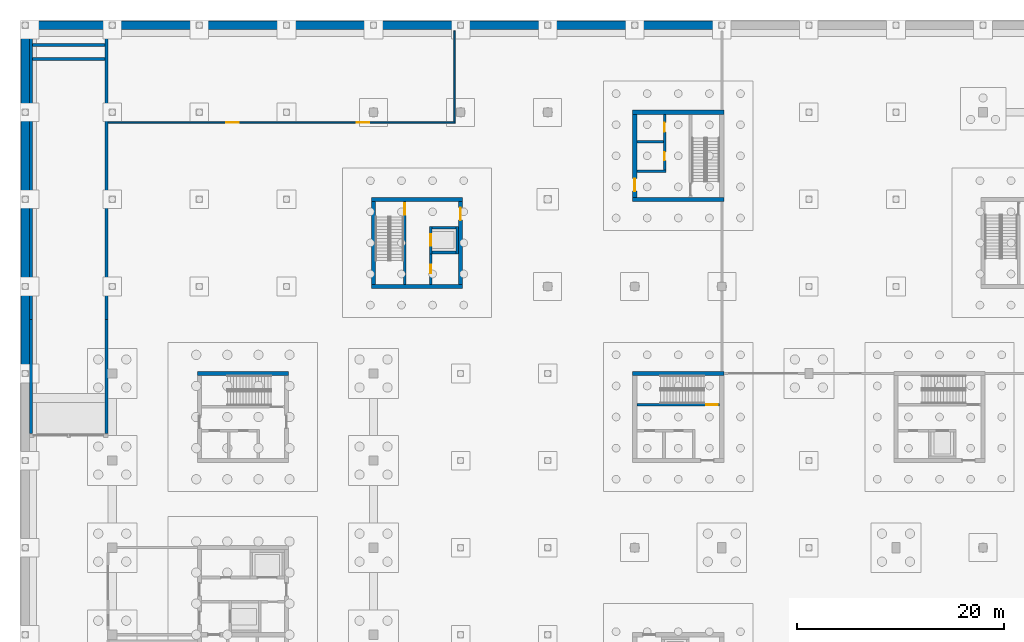
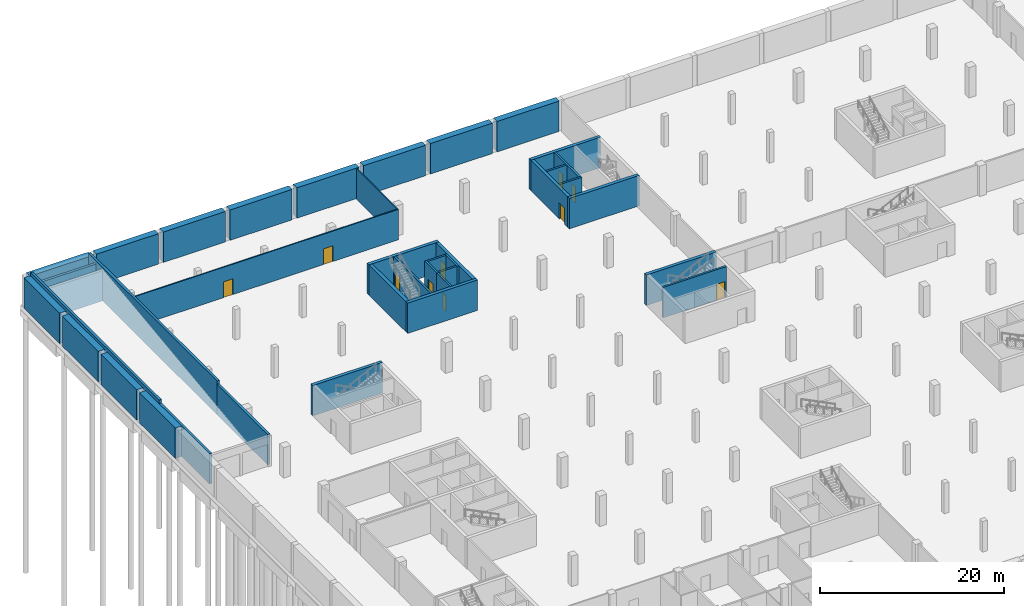
# One storey, part 15 of 23: 39 walls, 10 doors, 10 openings.
"""IFC4 building model written with IfcOpenShell, lengths in metres."""

import ifcopenshell
import ifcopenshell.guid

model = None  # the IFC model being written
_history = None  # IfcOwnerHistory: only IFC2X3 demands one
_inside = {}  # id of a spatial element -> (the spatial element, [elements in it])
_under = {}  # id of a project, library or spatial element -> (it, [spatial elements below it])
_declared = {}  # id of a project -> (the project, [libraries it declares])
_typed = {}  # id of a type object -> (the type object, [elements of that type])
_made_of = {}  # id of a material, layer set ... -> (it, [elements and type objects made of it])


def new_model(schema):
    """Start an empty IFC model of exactly this schema.

    Asked for "IFC4X3", IfcOpenShell would pick the latest addendum, in which some entities
    have other attributes; the version numbers below select the first issue.
    IFC2X3 requires an IfcOwnerHistory on every rooted entity: one is made here for all.
    """
    global model, _history
    if schema == "IFC4X3":
        model = ifcopenshell.file(schema_version=(4, 3, 0, 0))
    else:
        model = ifcopenshell.file(schema=schema)
    _inside.clear()
    _under.clear()
    _declared.clear()
    _typed.clear()
    _made_of.clear()
    _history = None
    if model.schema == "IFC2X3":
        org = make("IfcOrganization", Name="unknown")
        user = make(
            "IfcPersonAndOrganization",
            ThePerson=make("IfcPerson", FamilyName="unknown"),
            TheOrganization=org,
        )
        app = make(
            "IfcApplication",
            ApplicationDeveloper=org,
            Version="unknown",
            ApplicationFullName="unknown",
            ApplicationIdentifier="unknown",
        )
        _history = make(
            "IfcOwnerHistory",
            OwningUser=user,
            OwningApplication=app,
            ChangeAction="ADDED",
            CreationDate=0,
        )
    return model


def make(cls, **values):
    """One entity of the class cls with the attributes given. An attribute that is None is left unset."""
    return model.create_entity(
        cls, **{name: value for name, value in values.items() if value is not None}
    )


def rooted(cls, **values):
    """An entity with a GlobalId (a new one), such as an element, a storey or a relation."""
    return make(cls, GlobalId=ifcopenshell.guid.new(), OwnerHistory=_history, **values)


def si_unit(unit_type, name, prefix=None):
    """IfcSIUnit, for example si_unit("LENGTHUNIT", "METRE", prefix="MILLI")."""
    return make("IfcSIUnit", UnitType=unit_type, Prefix=prefix, Name=name)


def assignment(units):
    """IfcUnitAssignment: the units of a project."""
    return None if units is None else make("IfcUnitAssignment", Units=units)


def point(xyz):
    """IfcCartesianPoint."""
    return None if xyz is None else make("IfcCartesianPoint", Coordinates=xyz)


def direction(xyz):
    """IfcDirection."""
    return None if xyz is None else make("IfcDirection", DirectionRatios=xyz)


def frame(location, z_axis=None, x_axis=None):
    """IfcAxis2Placement3D, a coordinate frame: its origin and axes. An axis left out is left unset."""
    return make(
        "IfcAxis2Placement3D",
        Location=point(location),
        Axis=direction(z_axis),
        RefDirection=direction(x_axis),
    )


def frame_2d(location, x_axis=None):
    """IfcAxis2Placement2D, a coordinate frame in the plane: its origin and x axis."""
    return make(
        "IfcAxis2Placement2D", Location=point(location), RefDirection=direction(x_axis)
    )


def origin():
    """The frame at (0, 0, 0) with its axes left unset."""
    return frame((0.0, 0.0, 0.0))


def place(relative_to, where):
    """IfcLocalPlacement: puts the frame where relative to a parent placement (None: the world)."""
    return make(
        "IfcLocalPlacement", PlacementRelTo=relative_to, RelativePlacement=where
    )


def context(
    kind, dimensions, precision=None, world=None, true_north=None, identifier=None
):
    """IfcGeometricRepresentationContext, for example the 3D "Model" context."""
    return make(
        "IfcGeometricRepresentationContext",
        ContextIdentifier=identifier,
        ContextType=kind,
        CoordinateSpaceDimension=dimensions,
        Precision=precision,
        WorldCoordinateSystem=world,
        TrueNorth=true_north,
    )


def subcontext(parent, identifier, kind, view, scale=None):
    """IfcGeometricRepresentationSubContext, for example "Body" below "Model"."""
    return make(
        "IfcGeometricRepresentationSubContext",
        ContextIdentifier=identifier,
        ContextType=kind,
        ParentContext=parent,
        TargetScale=scale,
        TargetView=view,
    )


def project(units=None, contexts=None):
    """IfcProject with its units and contexts."""
    return rooted(
        "IfcProject",
        Name="project",
        RepresentationContexts=contexts,
        UnitsInContext=assignment(units),
    )


def spatial(cls, under=None, at=None, **own):
    """A site, building, storey or space (cls), placed at a placement, below another one or the project."""
    s = rooted(cls, ObjectPlacement=at, **own)
    if under is not None:
        _under.setdefault(under.id(), (under, []))[1].append(s)
    return s


def profile(cls, at=None, kind="AREA", **sizes):
    """A parametric profile (cls). Its sizes go by their IFC names, for example OverallWidth=200.0."""
    return make(cls, ProfileType=kind, Position=at, **sizes)


def rectangle(**sizes):
    """IfcRectangleProfileDef."""
    return profile("IfcRectangleProfileDef", **sizes)


def extrude(swept, where, along, depth):
    """IfcExtrudedAreaSolid: the profile swept, set in the frame where, extruded along a direction by depth."""
    return make(
        "IfcExtrudedAreaSolid",
        SweptArea=swept,
        Position=where,
        ExtrudedDirection=direction(along),
        Depth=depth,
    )


def shape(context_of_items, identifier, shape_type, items):
    """IfcShapeRepresentation: the items that make up one representation, for example the "Body"."""
    return make(
        "IfcShapeRepresentation",
        ContextOfItems=context_of_items,
        RepresentationIdentifier=identifier,
        RepresentationType=shape_type,
        Items=items,
    )


def material(Name=None, Category=None):
    """IfcMaterial."""
    return make("IfcMaterial", Name=Name, Category=Category)


def layer(
    of_material, thickness, ventilated=None, Name=None, Category=None, Priority=None
):
    """IfcMaterialLayer: one layer of a wall or slab, of a material (None: an air gap)."""
    return make(
        "IfcMaterialLayer",
        Material=of_material,
        LayerThickness=thickness,
        IsVentilated=ventilated,
        Name=Name,
        Category=Category,
        Priority=Priority,
    )


def layer_set(layers, Name=None):
    """IfcMaterialLayerSet."""
    return make("IfcMaterialLayerSet", MaterialLayers=layers, LayerSetName=Name)


def made_of(thing, what):
    """Note that an element or type object is made of a material, layer set ...; save() writes the relation."""
    if what is not None:
        _made_of.setdefault(what.id(), (what, []))[1].append(thing)
    return thing


def type_object(cls, material=None, **own):
    """A type object (cls), such as IfcWallType, which elements share."""
    return made_of(rooted(cls, **own), material)


def element(
    cls,
    number,
    at=None,
    inside=None,
    cuts=None,
    type_object=None,
    material=None,
    context=None,
    identifier="Body",
    shape_type=None,
    held_by="IfcProductDefinitionShape",
    body=None,
    shapes=None,
    **own,
):
    """One element of the class cls, such as IfcWall. Its Tag is "e" and its number.

    at: its placement. inside: the storey or other place that contains it. cuts: it is an
    opening in that element (IfcRelVoidsElement). A single representation is given by context,
    identifier, shape_type and body (its items); several are given by shapes. held_by: the class
    of the entity that holds the representations. save() writes the other relations.
    """
    e = rooted(cls, Tag="e%d" % number, ObjectPlacement=at, **own)
    if body is not None:
        shapes = [shape(context, identifier, shape_type, body)]
    if shapes is not None:
        e.Representation = make(held_by, Representations=shapes)
    if inside is not None:
        _inside.setdefault(inside.id(), (inside, []))[1].append(e)
    if cuts is not None:
        rooted(
            "IfcRelVoidsElement", RelatingBuildingElement=cuts, RelatedOpeningElement=e
        )
    if type_object is not None:
        _typed.setdefault(type_object.id(), (type_object, []))[1].append(e)
    return made_of(e, material)


def fill(opening, filler):
    """IfcRelFillsElement: the door or window that sits in an opening."""
    return rooted(
        "IfcRelFillsElement",
        RelatingOpeningElement=opening,
        RelatedBuildingElement=filler,
    )


def aggregate(whole, parts):
    """IfcRelAggregates: a whole, such as a stair, and the parts it consists of."""
    return rooted("IfcRelAggregates", RelatingObject=whole, RelatedObjects=parts)


def save(model, path):
    """Write the relations noted so far, then the file.

    IfcRelAggregates (storeys below a building ...), IfcRelContainedInSpatialStructure (elements
    in a storey), IfcRelDefinesByType, IfcRelAssociatesMaterial and IfcRelDeclares: one each for
    every whole, place, type object, material and project.
    """
    for whole, parts in _under.values():
        aggregate(whole, parts)
    for where, things in _inside.values():
        rooted(
            "IfcRelContainedInSpatialStructure",
            RelatedElements=things,
            RelatingStructure=where,
        )
    for kind, things in _typed.values():
        rooted("IfcRelDefinesByType", RelatedObjects=things, RelatingType=kind)
    for what, things in _made_of.values():
        rooted("IfcRelAssociatesMaterial", RelatedObjects=things, RelatingMaterial=what)
    for by, libraries in _declared.values():
        rooted("IfcRelDeclares", RelatingContext=by, RelatedDefinitions=libraries)
    model.write(path)


model = new_model("IFC4")

# Units and contexts
model_context = context("Model", 3, precision=1e-05, world=origin(), true_north=direction((0.0, 1.0)))
body_context = subcontext(model_context, "Body", "Model", "MODEL_VIEW")
ifc_project = project(units=[si_unit("LENGTHUNIT", "METRE"), si_unit("AREAUNIT", "SQUARE_METRE"), si_unit("VOLUMEUNIT", "CUBIC_METRE"), si_unit("PLANEANGLEUNIT", "RADIAN"), si_unit("MASSUNIT", "GRAM", prefix="KILO")], contexts=[model_context])

# Site, building, storey
site_placement = place(None, origin())
site = spatial("IfcSite", under=ifc_project, at=site_placement, CompositionType="ELEMENT")
building_placement = place(site_placement, origin())
building = spatial("IfcBuilding", under=site, at=building_placement, Name="Hlaing Beacon Police Headquarters", CompositionType="ELEMENT")
storey_placement = place(building_placement, frame((0.0, 0.0, -4.5)))
storey = spatial("IfcBuildingStorey", under=building, at=storey_placement, Name="B1", CompositionType="ELEMENT", Elevation=-4.5)

# Walls
ifc_material_1 = material(Name="Concrete C60/75", Category="concrete")
ifc_layer_1 = layer(ifc_material_1, 0.39990234375)
ifc_layer_set_1 = layer_set([ifc_layer_1], Name="Concrete C60/75")
wall_type_1 = type_object("IfcWallType", Name="Core shear wall 400", PredefinedType="SHEAR", material=ifc_layer_set_1)
wall_1_placement = place(storey_placement, frame((58.60009765625, 67.199951171875, 0.0), z_axis=(0.0, 0.0, 1.0), x_axis=(1.0, 0.0, 0.0)))
element("IfcWall", 1, at=wall_1_placement, inside=storey, type_object=wall_type_1, Name="Core shear wall", PredefinedType="SHEAR", context=body_context, shape_type="SweptSolid", body=[
    extrude(rectangle(XDim=8.7998046875, YDim=0.39990234375, at=frame_2d((4.39990234375, 0.0))), origin(), (0.0, 0.0, 1.0), 4.050048828125),
])
for number, where, z_axis, x_axis, name in (
    (2, (33.39990234375, 75.60009765625, 0.0), (0.0, 0.0, 1.0), (1.0, 0.0, 0.0), "Core shear wall"),
    (3, (33.39990234375, 84.0, 0.0), (0.0, 0.0, 1.0), (1.0, 0.0, 0.0), "Core shear wall"),
):
    element("IfcWall", number, at=place(storey_placement, frame(where, z_axis=z_axis, x_axis=x_axis)), inside=storey, type_object=wall_type_1, Name=name, PredefinedType="SHEAR", context=body_context, shape_type="SweptSolid", body=[
        extrude(rectangle(XDim=8.800048828125, YDim=0.39990234375, at=frame_2d((4.39990234375, 0.0))), origin(), (0.0, 0.0, 1.0), 4.050048828125),
    ])
wall_2_placement = place(storey_placement, frame((33.60009765625, 75.800048828125, 0.0), z_axis=(0.0, 0.0, 1.0), x_axis=(0.0, 1.0, 0.0)))
element("IfcWall", 4, at=wall_2_placement, inside=storey, type_object=wall_type_1, Name="Core shear wall", PredefinedType="SHEAR", context=body_context, shape_type="SweptSolid", body=[
    extrude(rectangle(XDim=8.0, YDim=0.39990234375, at=frame_2d((4.0, 0.0))), origin(), (0.0, 0.0, 1.0), 4.050048828125),
])

# Wall, opening, door
wall_3_placement = place(storey_placement, frame((42.0, 75.800048828125, 0.0), z_axis=(0.0, 0.0, 1.0), x_axis=(0.0, 1.0, 0.0)))
wall_3 = element("IfcWall", 5, at=wall_3_placement, inside=storey, type_object=wall_type_1, Name="Core shear wall", PredefinedType="SHEAR", context=body_context, shape_type="SweptSolid", body=[
    extrude(rectangle(XDim=8.0, YDim=0.39990234375, at=frame_2d((4.0, 0.0))), origin(), (0.0, 0.0, 1.0), 4.050048828125),
])
opening_1_placement = place(wall_3_placement, frame((6.199951171875, 0.0, 0.0)))
opening_1 = element("IfcOpeningElement", 6, at=opening_1_placement, cuts=wall_3, Name="Opening B1-915", PredefinedType="OPENING", context=body_context, shape_type="SweptSolid", body=[
    extrude(rectangle(XDim=1.199951171875, YDim=2.10009765625, at=frame_2d((0.60009765625, 1.050048828125))), frame((0.0, 0.2099609375, 0.0), z_axis=(0.0, -1.0, 0.0), x_axis=(1.0, 0.0, 0.0)), (0.0, 0.0, 1.0), 0.419921875),
])
ifc_material_2 = material(Name="Steel fire door leaf", Category="steel")
ifc_layer_2 = layer(ifc_material_2, 0.070068359375)
ifc_layer_set_2 = layer_set([ifc_layer_2], Name="Steel fire door leaf")
door_type_1 = type_object("IfcDoorType", Name="Steel fire door FD60S 1200x2100", OperationType="SINGLE_SWING_LEFT", PredefinedType="DOOR", material=ifc_layer_set_2)
door_1_placement = place(opening_1_placement, origin())
door_1 = element("IfcDoor", 7, at=door_1_placement, inside=storey, type_object=door_type_1, Name="Door Lift and Stair Lobby ST-E Entry", OperationType="SINGLE_SWING_RIGHT", OverallHeight=2.10009765625, OverallWidth=1.199951171875, PredefinedType="DOOR", context=body_context, shape_type="SweptSolid", body=[
    extrude(rectangle(XDim=1.199951171875, YDim=2.10009765625, at=frame_2d((0.60009765625, 1.050048828125))), frame((0.0, 0.03515625, 0.0), z_axis=(0.0, -1.0, 0.0), x_axis=(1.0, 0.0, 0.0)), (0.0, 0.0, 1.0), 0.070068359375),
])
fill(opening_1, door_1)

# Walls
for number, where, z_axis, x_axis, name in (
    (8, (58.60009765625, 84.0, 0.0), (0.0, 0.0, 1.0), (1.0, 0.0, 0.0), "Core shear wall"),
    (9, (58.60009765625, 92.39990234375, 0.0), (0.0, 0.0, 1.0), (1.0, 0.0, 0.0), "Core shear wall"),
):
    element("IfcWall", number, at=place(storey_placement, frame(where, z_axis=z_axis, x_axis=x_axis)), inside=storey, type_object=wall_type_1, Name=name, PredefinedType="SHEAR", context=body_context, shape_type="SweptSolid", body=[
        extrude(rectangle(XDim=8.7998046875, YDim=0.39990234375, at=frame_2d((4.39990234375, 0.0))), origin(), (0.0, 0.0, 1.0), 4.050048828125),
    ])

# Wall, opening, door
wall_4_placement = place(storey_placement, frame((58.800048828125, 84.199951171875, 0.0), z_axis=(0.0, 0.0, 1.0), x_axis=(0.0, 1.0, 0.0)))
wall_4 = element("IfcWall", 10, at=wall_4_placement, inside=storey, type_object=wall_type_1, Name="Core shear wall", PredefinedType="SHEAR", context=body_context, shape_type="SweptSolid", body=[
    extrude(rectangle(XDim=8.0, YDim=0.39990234375, at=frame_2d((4.0, 0.0))), origin(), (0.0, 0.0, 1.0), 4.050048828125),
])
opening_2_placement = place(wall_4_placement, frame((0.60009765625, 0.0, 0.0)))
opening_2 = element("IfcOpeningElement", 11, at=opening_2_placement, cuts=wall_4, Name="Opening B1-919", PredefinedType="OPENING", context=body_context, shape_type="SweptSolid", body=[
    extrude(rectangle(XDim=1.199951171875, YDim=2.10009765625, at=frame_2d((0.60009765625, 1.050048828125))), frame((0.0, 0.2099609375, 0.0), z_axis=(0.0, -1.0, 0.0), x_axis=(1.0, 0.0, 0.0)), (0.0, 0.0, 1.0), 0.419921875),
])
door_2_placement = place(opening_2_placement, frame((1.199951171875, 0.0, 0.0), z_axis=(0.0, 0.0, 1.0), x_axis=(-1.0, 0.0, 0.0)))
door_2 = element("IfcDoor", 12, at=door_2_placement, inside=storey, type_object=door_type_1, Name="Door Stair Lobby ST-F Entry", OperationType="SINGLE_SWING_RIGHT", OverallHeight=2.10009765625, OverallWidth=1.199951171875, PredefinedType="DOOR", context=body_context, shape_type="SweptSolid", body=[
    extrude(rectangle(XDim=1.199951171875, YDim=2.10009765625, at=frame_2d((0.599853515625, 1.050048828125))), frame((0.0, 0.034912109375, 0.0), z_axis=(0.0, -1.0, 0.0), x_axis=(1.0, 0.0, 0.0)), (0.0, 0.0, 1.0), 0.070068359375),
])
fill(opening_2, door_2)

# Wall
wall_5_placement = place(storey_placement, frame((16.60009765625, 67.199951171875, 0.0), z_axis=(0.0, 0.0, 1.0), x_axis=(1.0, 0.0, 0.0)))
element("IfcWall", 13, at=wall_5_placement, inside=storey, type_object=wall_type_1, Name="Core shear wall", PredefinedType="SHEAR", context=body_context, shape_type="SweptSolid", body=[
    extrude(rectangle(XDim=8.7998046875, YDim=0.39990234375, at=frame_2d((4.39990234375, 0.0))), origin(), (0.0, 0.0, 1.0), 4.050048828125),
])

# Wall, openings, doors
ifc_material_3 = material(Name="Gypsum board partition")
ifc_layer_3 = layer(ifc_material_3, 0.14990234375)
ifc_layer_set_3 = layer_set([ifc_layer_3], Name="Gypsum board partition")
wall_type_2 = type_object("IfcWallType", Name="Corridor wall EI 30 150", PredefinedType="PARTITIONING", material=ifc_layer_set_3)
wall_6_placement = place(storey_placement, frame((8.0, 91.39990234375, 0.0), z_axis=(0.0, 0.0, 1.0), x_axis=(1.0, 0.0, 0.0)))
wall_6 = element("IfcWall", 14, at=wall_6_placement, inside=storey, type_object=wall_type_2, Name="Corridor wall EI 30 150", PredefinedType="PARTITIONING", context=body_context, shape_type="SweptSolid", body=[
    extrude(rectangle(XDim=33.47509765625, YDim=0.14990234375, at=frame_2d((16.737548828125, 0.0))), origin(), (0.0, 0.0, 1.0), 4.050048828125),
])
opening_3_placement = place(wall_6_placement, frame((11.39990234375, 0.0, 0.0)))
opening_3 = element("IfcOpeningElement", 15, at=opening_3_placement, cuts=wall_6, Name="Opening B1-007", PredefinedType="OPENING", context=body_context, shape_type="SweptSolid", body=[
    extrude(rectangle(XDim=1.199951171875, YDim=2.10009765625, at=frame_2d((0.60009765625, 1.050048828125))), frame((0.0, 0.0849609375, 0.0), z_axis=(0.0, -1.0, 0.0), x_axis=(1.0, 0.0, 0.0)), (0.0, 0.0, 1.0), 0.169921875),
])
opening_4_placement = place(wall_6_placement, frame((24.0, 0.0, 0.0)))
opening_4 = element("IfcOpeningElement", 16, at=opening_4_placement, cuts=wall_6, Name="Opening B1-008", PredefinedType="OPENING", context=body_context, shape_type="SweptSolid", body=[
    extrude(rectangle(XDim=1.199951171875, YDim=2.10009765625, at=frame_2d((0.60009765625, 1.050048828125))), frame((0.0, 0.0849609375, 0.0), z_axis=(0.0, -1.0, 0.0), x_axis=(1.0, 0.0, 0.0)), (0.0, 0.0, 1.0), 0.169921875),
])
ifc_material_4 = material(Name="Steel fire door leaf", Category="steel")
ifc_layer_4 = layer(ifc_material_4, 0.06005859375)
ifc_layer_set_4 = layer_set([ifc_layer_4], Name="Steel fire door leaf")
door_type_2 = type_object("IfcDoorType", Name="Steel plant door FD30S 1200x2100", OperationType="SINGLE_SWING_LEFT", PredefinedType="DOOR", material=ifc_layer_set_4)
door_3_placement = place(opening_3_placement, origin())
door_3 = element("IfcDoor", 17, at=door_3_placement, inside=storey, type_object=door_type_2, Name="Door Basement Stores", OperationType="SINGLE_SWING_RIGHT", OverallHeight=2.10009765625, OverallWidth=1.199951171875, PredefinedType="DOOR", context=body_context, shape_type="SweptSolid", body=[
    extrude(rectangle(XDim=1.199951171875, YDim=2.10009765625, at=frame_2d((0.60009765625, 1.050048828125))), frame((0.0, 0.030029296875, 0.0), z_axis=(0.0, -1.0, 0.0), x_axis=(1.0, 0.0, 0.0)), (0.0, 0.0, 1.0), 0.06005859375),
])
fill(opening_3, door_3)
door_4_placement = place(opening_4_placement, origin())
door_4 = element("IfcDoor", 18, at=door_4_placement, inside=storey, type_object=door_type_2, Name="Door Basement Stores", OperationType="SINGLE_SWING_LEFT", OverallHeight=2.10009765625, OverallWidth=1.199951171875, PredefinedType="DOOR", context=body_context, shape_type="SweptSolid", body=[
    extrude(rectangle(XDim=1.199951171875, YDim=2.10009765625, at=frame_2d((0.60009765625, 1.050048828125))), frame((0.0, 0.030029296875, 0.0), z_axis=(0.0, -1.0, 0.0), x_axis=(1.0, 0.0, 0.0)), (0.0, 0.0, 1.0), 0.06005859375),
])
fill(opening_4, door_4)

# Walls
wall_7_placement = place(storey_placement, frame((41.39990234375, 91.47509765625, 0.0), z_axis=(0.0, 0.0, 1.0), x_axis=(0.0, 1.0, 0.0)))
element("IfcWall", 19, at=wall_7_placement, inside=storey, type_object=wall_type_2, Name="Corridor wall EI 30 150", PredefinedType="PARTITIONING", context=body_context, shape_type="SweptSolid", body=[
    extrude(rectangle(XDim=8.77490234375, YDim=0.14990234375, at=frame_2d((4.387451171875, 0.0))), origin(), (0.0, 0.0, 1.0), 4.050048828125),
])
ifc_material_5 = material(Name="Concrete C40/50", Category="concrete")
ifc_layer_5 = layer(ifc_material_5, 0.300048828125)
ifc_layer_set_5 = layer_set([ifc_layer_5], Name="Concrete C40/50")
wall_type_3 = type_object("IfcWallType", Name="Ramp wall 300", PredefinedType="SOLIDWALL", material=ifc_layer_set_5)
wall_8_placement = place(storey_placement, frame((0.550048828125, 61.39990234375, 0.0), z_axis=(0.0, 0.0, 1.0), x_axis=(0.0, 1.0, 0.0)))
element("IfcWall", 20, at=wall_8_placement, inside=storey, type_object=wall_type_3, Name="Ramp wall R1", PredefinedType="SOLIDWALL", context=body_context, shape_type="SweptSolid", body=[
    extrude(rectangle(XDim=11.0, YDim=0.300048828125, at=frame_2d((5.5, 0.0))), origin(), (0.0, 0.0, 1.0), 4.050048828125),
])
wall_9_placement = place(storey_placement, frame((0.550048828125, 72.39990234375, 0.0), z_axis=(0.0, 0.0, 1.0), x_axis=(0.0, 1.0, 0.0)))
element("IfcWall", 21, at=wall_9_placement, inside=storey, type_object=wall_type_3, Name="Ramp wall R1", PredefinedType="SOLIDWALL", context=body_context, shape_type="SweptSolid", body=[
    extrude(rectangle(XDim=28.0, YDim=0.300048828125, at=frame_2d((14.0, 0.0))), origin(), (0.0, 0.0, 1.0), 4.5),
])
wall_10_placement = place(storey_placement, frame((7.85009765625, 61.39990234375, 0.0), z_axis=(0.0, 0.0, 1.0), x_axis=(0.0, 1.0, 0.0)))
element("IfcWall", 22, at=wall_10_placement, inside=storey, type_object=wall_type_3, Name="Ramp wall R1", PredefinedType="SOLIDWALL", context=body_context, shape_type="SweptSolid", body=[
    extrude(rectangle(XDim=11.0, YDim=0.300048828125, at=frame_2d((5.5, 0.0))), origin(), (0.0, 0.0, 1.0), 4.050048828125),
])
wall_11_placement = place(storey_placement, frame((7.85009765625, 72.39990234375, 0.0), z_axis=(0.0, 0.0, 1.0), x_axis=(0.0, 1.0, 0.0)))
element("IfcWall", 23, at=wall_11_placement, inside=storey, type_object=wall_type_3, Name="Ramp wall R1", PredefinedType="SOLIDWALL", context=body_context, shape_type="SweptSolid", body=[
    extrude(rectangle(XDim=28.0, YDim=0.300048828125, at=frame_2d((14.0, 0.0))), origin(), (0.0, 0.0, 1.0), 4.5),
])
wall_12_placement = place(storey_placement, frame((7.699951171875, 97.550048828125, 0.0), z_axis=(0.0, 0.0, 1.0), x_axis=(-1.0, 0.0, 0.0)))
element("IfcWall", 24, at=wall_12_placement, inside=storey, type_object=wall_type_3, Name="Ramp cross wall R1", PredefinedType="SOLIDWALL", context=body_context, shape_type="SweptSolid", body=[
    extrude(rectangle(XDim=7.0, YDim=0.300048828125, at=frame_2d((3.5, 0.0))), origin(), (0.0, 0.0, 1.0), 4.012451171875),
])
wall_13_placement = place(storey_placement, frame((7.699951171875, 98.89990234375, 0.0), z_axis=(0.0, 0.0, 1.0), x_axis=(-1.0, 0.0, 0.0)))
element("IfcWall", 25, at=wall_13_placement, inside=storey, type_object=wall_type_3, Name="Ramp cross wall R1", PredefinedType="SOLIDWALL", context=body_context, shape_type="SweptSolid", body=[
    extrude(rectangle(XDim=7.0, YDim=0.300048828125, at=frame_2d((3.5, 0.0))), origin(), (0.0, 0.0, 1.0), 4.096923828125),
])
ifc_material_6 = material(Name="Concrete C50/60", Category="concrete")
ifc_layer_6 = layer(ifc_material_6, 0.800048828125)
ifc_layer_set_6 = layer_set([ifc_layer_6], Name="Concrete C50/60")
wall_type_4 = type_object("IfcWallType", Name="Retaining wall 800", PredefinedType="SOLIDWALL", material=ifc_layer_set_6)
for number, where, z_axis, x_axis, name in (
    (26, (0.300048828125, 100.800048828125, 0.0), (0.0, 0.0, 1.0), (1.0, 0.0, 0.0), "STR-RW-B1-N01"),
    (27, (8.699951171875, 100.800048828125, 0.0), (0.0, 0.0, 1.0), (1.0, 0.0, 0.0), "STR-RW-B1-N02"),
):
    element("IfcWall", number, at=place(storey_placement, frame(where, z_axis=z_axis, x_axis=x_axis)), inside=storey, type_object=wall_type_4, Name=name, PredefinedType="SOLIDWALL", context=body_context, shape_type="SweptSolid", body=[
        extrude(rectangle(XDim=7.800048828125, YDim=0.800048828125, at=frame_2d((3.89990234375, 0.0))), origin(), (0.0, 0.0, 1.0), 4.050048828125),
    ])
wall_14_placement = place(storey_placement, frame((17.10009765625, 100.800048828125, 0.0), z_axis=(0.0, 0.0, 1.0), x_axis=(1.0, 0.0, 0.0)))
element("IfcWall", 28, at=wall_14_placement, inside=storey, type_object=wall_type_4, Name="STR-RW-B1-N03", PredefinedType="SOLIDWALL", context=body_context, shape_type="SweptSolid", body=[
    extrude(rectangle(XDim=7.7998046875, YDim=0.800048828125, at=frame_2d((3.89990234375, 0.0))), origin(), (0.0, 0.0, 1.0), 4.050048828125),
])
for number, where, z_axis, x_axis, name in (
    (29, (25.5, 100.800048828125, 0.0), (0.0, 0.0, 1.0), (1.0, 0.0, 0.0), "STR-RW-B1-N04"),
    (30, (33.89990234375, 100.800048828125, 0.0), (0.0, 0.0, 1.0), (1.0, 0.0, 0.0), "STR-RW-B1-N05"),
    (31, (42.300048828125, 100.800048828125, 0.0), (0.0, 0.0, 1.0), (1.0, 0.0, 0.0), "STR-RW-B1-N06"),
    (32, (50.699951171875, 100.800048828125, 0.0), (0.0, 0.0, 1.0), (1.0, 0.0, 0.0), "STR-RW-B1-N07"),
):
    element("IfcWall", number, at=place(storey_placement, frame(where, z_axis=z_axis, x_axis=x_axis)), inside=storey, type_object=wall_type_4, Name=name, PredefinedType="SOLIDWALL", context=body_context, shape_type="SweptSolid", body=[
        extrude(rectangle(XDim=7.800048828125, YDim=0.800048828125, at=frame_2d((3.89990234375, 0.0))), origin(), (0.0, 0.0, 1.0), 4.050048828125),
    ])
wall_15_placement = place(storey_placement, frame((59.10009765625, 100.800048828125, 0.0), z_axis=(0.0, 0.0, 1.0), x_axis=(1.0, 0.0, 0.0)))
element("IfcWall", 33, at=wall_15_placement, inside=storey, type_object=wall_type_4, Name="STR-RW-B1-N08", PredefinedType="SOLIDWALL", context=body_context, shape_type="SweptSolid", body=[
    extrude(rectangle(XDim=7.7998046875, YDim=0.800048828125, at=frame_2d((3.89990234375, 0.0))), origin(), (0.0, 0.0, 1.0), 4.050048828125),
])
for number, where, z_axis, x_axis, name in (
    (34, (0.0, 67.5, 0.0), (0.0, 0.0, 1.0), (0.0, 1.0, 0.0), "STR-RW-B1-W09"),
    (35, (0.0, 75.89990234375, 0.0), (0.0, 0.0, 1.0), (0.0, 1.0, 0.0), "STR-RW-B1-W10"),
    (36, (0.0, 84.300048828125, 0.0), (0.0, 0.0, 1.0), (0.0, 1.0, 0.0), "STR-RW-B1-W11"),
    (37, (0.0, 92.699951171875, 0.0), (0.0, 0.0, 1.0), (0.0, 1.0, 0.0), "STR-RW-B1-W12"),
):
    element("IfcWall", number, at=place(storey_placement, frame(where, z_axis=z_axis, x_axis=x_axis)), inside=storey, type_object=wall_type_4, Name=name, PredefinedType="SOLIDWALL", context=body_context, shape_type="SweptSolid", body=[
        extrude(rectangle(XDim=7.800048828125, YDim=0.800048828125, at=frame_2d((3.89990234375, 0.0))), origin(), (0.0, 0.0, 1.0), 4.050048828125),
    ])

# Wall, opening, door
ifc_material_7 = material(Name="Concrete C40/50", Category="concrete")
ifc_layer_7 = layer(ifc_material_7, 0.25)
ifc_layer_set_7 = layer_set([ifc_layer_7], Name="Concrete C40/50")
wall_type_5 = type_object("IfcWallType", Name="Shaft wall 250", PredefinedType="SOLIDWALL", material=ifc_layer_set_7)
wall_16_placement = place(storey_placement, frame((67.0, 64.175048828125, 0.0), z_axis=(0.0, 0.0, 1.0), x_axis=(-1.0, 0.0, 0.0)))
wall_16 = element("IfcWall", 38, at=wall_16_placement, inside=storey, type_object=wall_type_5, Name="Stair enclosure wall", PredefinedType="SOLIDWALL", context=body_context, shape_type="SweptSolid", body=[
    extrude(rectangle(XDim=8.0, YDim=0.25, at=frame_2d((4.0, 0.0))), origin(), (0.0, 0.0, 1.0), 4.050048828125),
])
opening_5_placement = place(wall_16_placement, frame((0.199951171875, 0.0, 0.0)))
opening_5 = element("IfcOpeningElement", 39, at=opening_5_placement, cuts=wall_16, Name="Opening B1-907", PredefinedType="OPENING", context=body_context, shape_type="SweptSolid", body=[
    extrude(rectangle(XDim=1.10009765625, YDim=2.10009765625, at=frame_2d((0.550048828125, 1.050048828125))), frame((0.0, 0.135009765625, 0.0), z_axis=(0.0, -1.0, 0.0), x_axis=(1.0, 0.0, 0.0)), (0.0, 0.0, 1.0), 0.27001953125),
])
ifc_material_8 = material(Name="Steel fire door leaf", Category="steel")
ifc_layer_8 = layer(ifc_material_8, 0.070068359375)
ifc_layer_set_8 = layer_set([ifc_layer_8], Name="Steel fire door leaf")
door_type_3 = type_object("IfcDoorType", Name="Steel fire door FD60 1100x2100", OperationType="SINGLE_SWING_LEFT", PredefinedType="DOOR", material=ifc_layer_set_8)
door_5_placement = place(opening_5_placement, frame((1.10009765625, 0.0, 0.0), z_axis=(0.0, 0.0, 1.0), x_axis=(-1.0, 0.0, 0.0)))
door_5 = element("IfcDoor", 40, at=door_5_placement, inside=storey, type_object=door_type_3, Name="Door Stair ST-B", OperationType="SINGLE_SWING_LEFT", OverallHeight=2.10009765625, OverallWidth=1.10009765625, PredefinedType="DOOR", context=body_context, shape_type="SweptSolid", body=[
    extrude(rectangle(XDim=1.10009765625, YDim=2.10009765625, at=frame_2d((0.550048828125, 1.050048828125))), frame((0.0, 0.034912109375, 0.0), z_axis=(0.0, -1.0, 0.0), x_axis=(1.0, 0.0, 0.0)), (0.0, 0.0, 1.0), 0.070068359375),
])
fill(opening_5, door_5)

wall_17_placement = place(storey_placement, frame((36.625, 83.800048828125, 0.0), z_axis=(0.0, 0.0, 1.0), x_axis=(0.0, -1.0, 0.0)))
wall_17 = element("IfcWall", 41, at=wall_17_placement, inside=storey, type_object=wall_type_5, Name="Stair enclosure wall", PredefinedType="SOLIDWALL", context=body_context, shape_type="SweptSolid", body=[
    extrude(rectangle(XDim=8.0, YDim=0.25, at=frame_2d((4.0, 0.0))), origin(), (0.0, 0.0, 1.0), 4.050048828125),
])
opening_6_placement = place(wall_17_placement, frame((0.199951171875, 0.0, 0.0)))
opening_6 = element("IfcOpeningElement", 42, at=opening_6_placement, cuts=wall_17, Name="Opening B1-917", PredefinedType="OPENING", context=body_context, shape_type="SweptSolid", body=[
    extrude(rectangle(XDim=1.10009765625, YDim=2.10009765625, at=frame_2d((0.550048828125, 1.050048828125))), frame((0.0, 0.135009765625, 0.0), z_axis=(0.0, -1.0, 0.0), x_axis=(1.0, 0.0, 0.0)), (0.0, 0.0, 1.0), 0.27001953125),
])
door_6_placement = place(opening_6_placement, frame((1.10009765625, 0.0, 0.0), z_axis=(0.0, 0.0, 1.0), x_axis=(-1.0, 0.0, 0.0)))
door_6 = element("IfcDoor", 43, at=door_6_placement, inside=storey, type_object=door_type_3, Name="Door Stair ST-E", OperationType="SINGLE_SWING_LEFT", OverallHeight=2.10009765625, OverallWidth=1.10009765625, PredefinedType="DOOR", context=body_context, shape_type="SweptSolid", body=[
    extrude(rectangle(XDim=1.10009765625, YDim=2.10009765625, at=frame_2d((0.550048828125, 1.050048828125))), frame((0.0, 0.034912109375, 0.0), z_axis=(0.0, -1.0, 0.0), x_axis=(1.0, 0.0, 0.0)), (0.0, 0.0, 1.0), 0.070068359375),
])
fill(opening_6, door_6)

wall_18_placement = place(storey_placement, frame((39.125, 78.75, 0.0), z_axis=(0.0, 0.0, 1.0), x_axis=(0.0, -1.0, 0.0)))
wall_18 = element("IfcWall", 44, at=wall_18_placement, inside=storey, type_object=wall_type_5, Name="Lobby wall", PredefinedType="SOLIDWALL", context=body_context, shape_type="SweptSolid", body=[
    extrude(rectangle(XDim=2.949951171875, YDim=0.25, at=frame_2d((1.47509765625, 0.0))), origin(), (0.0, 0.0, 1.0), 4.050048828125),
])
opening_7_placement = place(wall_18_placement, frame((1.074951171875, 0.0, 0.0)))
opening_7 = element("IfcOpeningElement", 45, at=opening_7_placement, cuts=wall_18, Name="Opening B1-916", PredefinedType="OPENING", context=body_context, shape_type="SweptSolid", body=[
    extrude(rectangle(XDim=0.800048828125, YDim=2.10009765625, at=frame_2d((0.39990234375, 1.050048828125))), frame((0.0, 0.135009765625, 0.0), z_axis=(0.0, -1.0, 0.0), x_axis=(1.0, 0.0, 0.0)), (0.0, 0.0, 1.0), 0.27001953125),
])
ifc_material_9 = material(Name="Steel fire door leaf", Category="steel")
ifc_layer_9 = layer(ifc_material_9, 0.070068359375)
ifc_layer_set_9 = layer_set([ifc_layer_9], Name="Steel fire door leaf")
door_type_4 = type_object("IfcDoorType", Name="Steel fire door FD60 800x2100", OperationType="SINGLE_SWING_LEFT", PredefinedType="DOOR", material=ifc_layer_set_9)
door_7_placement = place(opening_7_placement, origin())
door_7 = element("IfcDoor", 46, at=door_7_placement, inside=storey, type_object=door_type_4, Name="Door Services Riser", OperationType="SINGLE_SWING_RIGHT", OverallHeight=2.10009765625, OverallWidth=0.800048828125, PredefinedType="DOOR", context=body_context, shape_type="SweptSolid", body=[
    extrude(rectangle(XDim=0.800048828125, YDim=2.10009765625, at=frame_2d((0.39990234375, 1.050048828125))), frame((0.0, 0.03515625, 0.0), z_axis=(0.0, -1.0, 0.0), x_axis=(1.0, 0.0, 0.0)), (0.0, 0.0, 1.0), 0.070068359375),
])
fill(opening_7, door_7)

# Wall
wall_19_placement = place(storey_placement, frame((61.800048828125, 86.72509765625, 0.0), z_axis=(0.0, 0.0, 1.0), x_axis=(-1.0, 0.0, 0.0)))
element("IfcWall", 47, at=wall_19_placement, inside=storey, type_object=wall_type_5, Name="Lobby wall", PredefinedType="SOLIDWALL", context=body_context, shape_type="SweptSolid", body=[
    extrude(rectangle(XDim=2.800048828125, YDim=0.25, at=frame_2d((1.39990234375, 0.0))), origin(), (0.0, 0.0, 1.0), 4.050048828125),
])

# Wall, openings, doors
wall_20_placement = place(storey_placement, frame((61.675048828125, 86.85009765625, 0.0), z_axis=(0.0, 0.0, 1.0), x_axis=(0.0, 1.0, 0.0)))
wall_20 = element("IfcWall", 48, at=wall_20_placement, inside=storey, type_object=wall_type_5, Name="Lobby wall", PredefinedType="SOLIDWALL", context=body_context, shape_type="SweptSolid", body=[
    extrude(rectangle(XDim=5.349853515625, YDim=0.25, at=frame_2d((2.6748046875, 0.0))), origin(), (0.0, 0.0, 1.0), 4.050048828125),
])
opening_8_placement = place(wall_20_placement, frame((3.64990234375, 0.0, 0.0)))
opening_8 = element("IfcOpeningElement", 49, at=opening_8_placement, cuts=wall_20, Name="Opening B1-918", PredefinedType="OPENING", context=body_context, shape_type="SweptSolid", body=[
    extrude(rectangle(XDim=0.89990234375, YDim=2.10009765625, at=frame_2d((0.449951171875, 1.050048828125))), frame((0.0, 0.135009765625, 0.0), z_axis=(0.0, -1.0, 0.0), x_axis=(1.0, 0.0, 0.0)), (0.0, 0.0, 1.0), 0.27001953125),
])
opening_9_placement = place(wall_20_placement, frame((0.89990234375, 0.0, 0.0)))
opening_9 = element("IfcOpeningElement", 50, at=opening_9_placement, cuts=wall_20, Name="Opening B1-920", PredefinedType="OPENING", context=body_context, shape_type="SweptSolid", body=[
    extrude(rectangle(XDim=0.800048828125, YDim=2.10009765625, at=frame_2d((0.39990234375, 1.050048828125))), frame((0.0, 0.135009765625, 0.0), z_axis=(0.0, -1.0, 0.0), x_axis=(1.0, 0.0, 0.0)), (0.0, 0.0, 1.0), 0.27001953125),
])
door_8_placement = place(opening_9_placement, origin())
door_8 = element("IfcDoor", 51, at=door_8_placement, inside=storey, type_object=door_type_4, Name="Door Services Riser", OperationType="SINGLE_SWING_RIGHT", OverallHeight=2.10009765625, OverallWidth=0.800048828125, PredefinedType="DOOR", context=body_context, shape_type="SweptSolid", body=[
    extrude(rectangle(XDim=0.800048828125, YDim=2.10009765625, at=frame_2d((0.39990234375, 1.050048828125))), frame((0.0, 0.03515625, 0.0), z_axis=(0.0, -1.0, 0.0), x_axis=(1.0, 0.0, 0.0)), (0.0, 0.0, 1.0), 0.070068359375),
])
fill(opening_9, door_8)
ifc_material_10 = material(Name="Steel fire door leaf", Category="steel")
ifc_layer_10 = layer(ifc_material_10, 0.070068359375)
ifc_layer_set_10 = layer_set([ifc_layer_10], Name="Steel fire door leaf")
door_type_5 = type_object("IfcDoorType", Name="Steel fire door FD60 900x2100", OperationType="SINGLE_SWING_LEFT", PredefinedType="DOOR", material=ifc_layer_set_10)
door_9_placement = place(opening_8_placement, origin())
door_9 = element("IfcDoor", 52, at=door_9_placement, inside=storey, type_object=door_type_5, Name="Door Cleaners' Store", OperationType="SINGLE_SWING_LEFT", OverallHeight=2.10009765625, OverallWidth=0.89990234375, PredefinedType="DOOR", context=body_context, shape_type="SweptSolid", body=[
    extrude(rectangle(XDim=0.89990234375, YDim=2.10009765625, at=frame_2d((0.449951171875, 1.050048828125))), frame((0.0, 0.03515625, 0.0), z_axis=(0.0, -1.0, 0.0), x_axis=(1.0, 0.0, 0.0)), (0.0, 0.0, 1.0), 0.070068359375),
])
fill(opening_8, door_9)

# Walls
wall_21_placement = place(storey_placement, frame((61.550048828125, 89.574951171875, 0.0), z_axis=(0.0, 0.0, 1.0), x_axis=(-1.0, 0.0, 0.0)))
element("IfcWall", 53, at=wall_21_placement, inside=storey, type_object=wall_type_5, Name="Riser wall", PredefinedType="SOLIDWALL", context=body_context, shape_type="SweptSolid", body=[
    extrude(rectangle(XDim=2.550048828125, YDim=0.25, at=frame_2d((1.27490234375, 0.0))), origin(), (0.0, 0.0, 1.0), 4.050048828125),
])
wall_22_placement = place(storey_placement, frame((41.675048828125, 78.75, 0.0), z_axis=(0.0, 0.0, 1.0), x_axis=(0.0, 1.0, 0.0)))
element("IfcWall", 54, at=wall_22_placement, inside=storey, type_object=wall_type_5, Name="Lift shaft wall PL3", PredefinedType="SOLIDWALL", context=body_context, shape_type="SweptSolid", body=[
    extrude(rectangle(XDim=2.64990234375, YDim=0.25, at=frame_2d((1.324951171875, 0.0))), origin(), (0.0, 0.0, 1.0), 4.050048828125),
])
for number, where, z_axis, x_axis, name in (
    (55, (39.25, 81.27490234375, 0.0), (0.0, 0.0, 1.0), (1.0, 0.0, 0.0), "Lift shaft wall PL3"),
    (56, (39.25, 78.875, 0.0), (0.0, 0.0, 1.0), (1.0, 0.0, 0.0), "Lift shaft wall PL3"),
):
    element("IfcWall", number, at=place(storey_placement, frame(where, z_axis=z_axis, x_axis=x_axis)), inside=storey, type_object=wall_type_5, Name=name, PredefinedType="SOLIDWALL", context=body_context, shape_type="SweptSolid", body=[
        extrude(rectangle(XDim=2.300048828125, YDim=0.25, at=frame_2d((1.14990234375, 0.0))), origin(), (0.0, 0.0, 1.0), 4.050048828125),
    ])

# Wall, opening, door
wall_23_placement = place(storey_placement, frame((39.125, 78.75, 0.0), z_axis=(0.0, 0.0, 1.0), x_axis=(0.0, 1.0, 0.0)))
wall_23 = element("IfcWall", 57, at=wall_23_placement, inside=storey, type_object=wall_type_5, Name="Lift shaft wall PL3", PredefinedType="SOLIDWALL", context=body_context, shape_type="SweptSolid", body=[
    extrude(rectangle(XDim=2.64990234375, YDim=0.25, at=frame_2d((1.324951171875, 0.0))), origin(), (0.0, 0.0, 1.0), 4.050048828125),
])
opening_10_placement = place(wall_23_placement, frame((0.77490234375, 0.0, 0.0)))
opening_10 = element("IfcOpeningElement", 58, at=opening_10_placement, cuts=wall_23, Name="Opening LD-PL3-B1", PredefinedType="OPENING", context=body_context, shape_type="SweptSolid", body=[
    extrude(rectangle(XDim=1.10009765625, YDim=2.10009765625, at=frame_2d((0.550048828125, 1.050048828125))), frame((0.0, 0.135009765625, 0.0), z_axis=(0.0, -1.0, 0.0), x_axis=(1.0, 0.0, 0.0)), (0.0, 0.0, 1.0), 0.27001953125),
])
ifc_material_11 = material(Name="Stainless steel lift landing door", Category="steel")
ifc_layer_11 = layer(ifc_material_11, 0.06005859375)
ifc_layer_set_11 = layer_set([ifc_layer_11], Name="Stainless steel lift landing door")
door_type_6 = type_object("IfcDoorType", Name="Lift landing door 1100x2100", OperationType="DOUBLE_DOOR_SLIDING", PredefinedType="DOOR", material=ifc_layer_set_11)
door_10_placement = place(opening_10_placement, origin())
door_10 = element("IfcDoor", 59, at=door_10_placement, inside=storey, type_object=door_type_6, Name="Landing door PL3 B1", OperationType="DOUBLE_DOOR_SLIDING", OverallHeight=2.10009765625, OverallWidth=1.10009765625, PredefinedType="DOOR", context=body_context, shape_type="SweptSolid", body=[
    extrude(rectangle(XDim=1.10009765625, YDim=2.10009765625, at=frame_2d((0.550048828125, 1.050048828125))), frame((0.0, 0.0400390625, 0.0), z_axis=(0.0, -1.0, 0.0), x_axis=(1.0, 0.0, 0.0)), (0.0, 0.0, 1.0), 0.080078125),
])
fill(opening_10, door_10)

save(model, "model.ifc")
